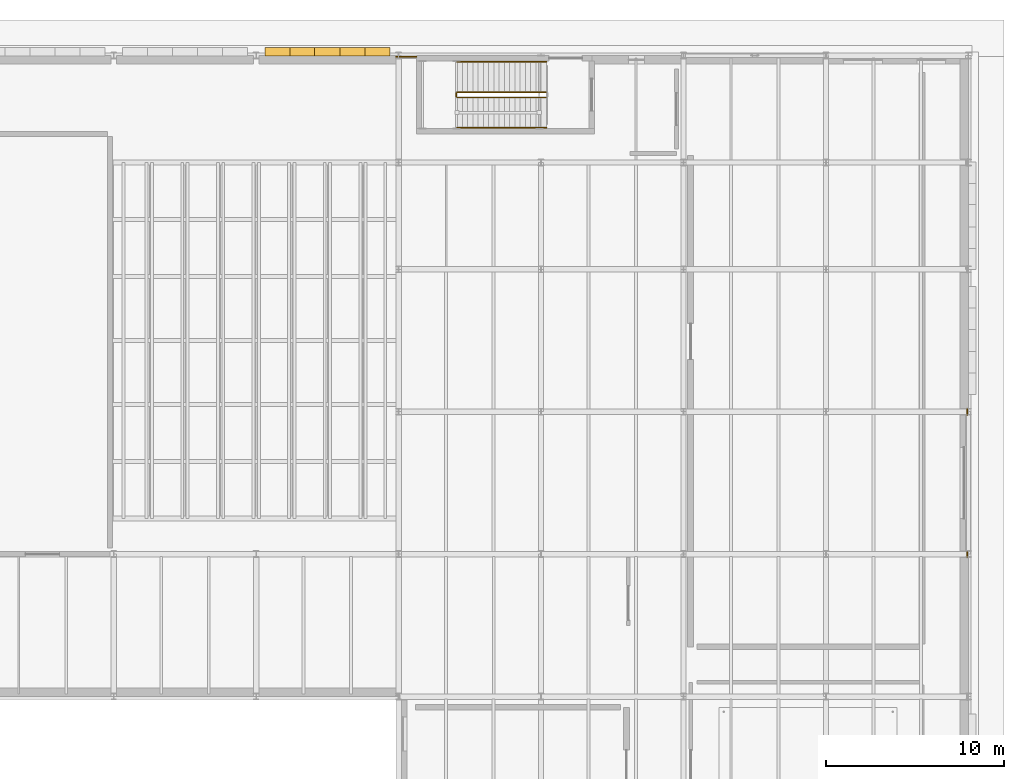
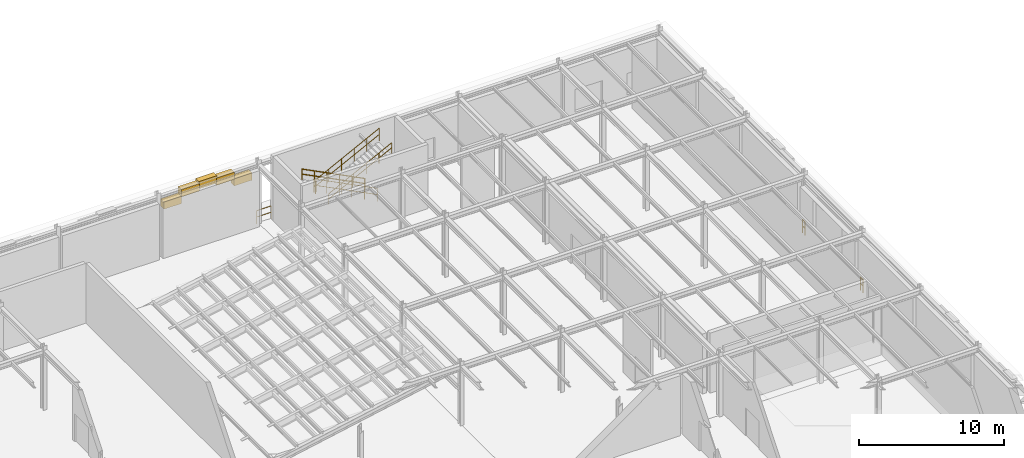
# One storey, part 127 of 129: 8 railings, 5 coverings.
"""IFC4 building model written with IfcOpenShell, lengths in metres."""

import ifcopenshell
import ifcopenshell.guid

model = None  # the IFC model being written
_history = None  # IfcOwnerHistory: only IFC2X3 demands one
_inside = {}  # id of a spatial element -> (the spatial element, [elements in it])
_under = {}  # id of a project, library or spatial element -> (it, [spatial elements below it])
_declared = {}  # id of a project -> (the project, [libraries it declares])
_typed = {}  # id of a type object -> (the type object, [elements of that type])
_made_of = {}  # id of a material, layer set ... -> (it, [elements and type objects made of it])


def new_model(schema):
    """Start an empty IFC model of exactly this schema.

    Asked for "IFC4X3", IfcOpenShell would pick the latest addendum, in which some entities
    have other attributes; the version numbers below select the first issue.
    IFC2X3 requires an IfcOwnerHistory on every rooted entity: one is made here for all.
    """
    global model, _history
    if schema == "IFC4X3":
        model = ifcopenshell.file(schema_version=(4, 3, 0, 0))
    else:
        model = ifcopenshell.file(schema=schema)
    _inside.clear()
    _under.clear()
    _declared.clear()
    _typed.clear()
    _made_of.clear()
    _history = None
    if model.schema == "IFC2X3":
        org = make("IfcOrganization", Name="unknown")
        user = make(
            "IfcPersonAndOrganization",
            ThePerson=make("IfcPerson", FamilyName="unknown"),
            TheOrganization=org,
        )
        app = make(
            "IfcApplication",
            ApplicationDeveloper=org,
            Version="unknown",
            ApplicationFullName="unknown",
            ApplicationIdentifier="unknown",
        )
        _history = make(
            "IfcOwnerHistory",
            OwningUser=user,
            OwningApplication=app,
            ChangeAction="ADDED",
            CreationDate=0,
        )
    return model


def make(cls, **values):
    """One entity of the class cls with the attributes given. An attribute that is None is left unset."""
    return model.create_entity(
        cls, **{name: value for name, value in values.items() if value is not None}
    )


def rooted(cls, **values):
    """An entity with a GlobalId (a new one), such as an element, a storey or a relation."""
    return make(cls, GlobalId=ifcopenshell.guid.new(), OwnerHistory=_history, **values)


def si_unit(unit_type, name, prefix=None):
    """IfcSIUnit, for example si_unit("LENGTHUNIT", "METRE", prefix="MILLI")."""
    return make("IfcSIUnit", UnitType=unit_type, Prefix=prefix, Name=name)


def assignment(units):
    """IfcUnitAssignment: the units of a project."""
    return None if units is None else make("IfcUnitAssignment", Units=units)


def point(xyz):
    """IfcCartesianPoint."""
    return None if xyz is None else make("IfcCartesianPoint", Coordinates=xyz)


def direction(xyz):
    """IfcDirection."""
    return None if xyz is None else make("IfcDirection", DirectionRatios=xyz)


def frame(location, z_axis=None, x_axis=None):
    """IfcAxis2Placement3D, a coordinate frame: its origin and axes. An axis left out is left unset."""
    return make(
        "IfcAxis2Placement3D",
        Location=point(location),
        Axis=direction(z_axis),
        RefDirection=direction(x_axis),
    )


def frame_2d(location, x_axis=None):
    """IfcAxis2Placement2D, a coordinate frame in the plane: its origin and x axis."""
    return make(
        "IfcAxis2Placement2D", Location=point(location), RefDirection=direction(x_axis)
    )


def origin():
    """The frame at (0, 0, 0) with its axes left unset."""
    return frame((0.0, 0.0, 0.0))


def origin_2d():
    """The frame at (0, 0) in the plane with its x axis left unset."""
    return frame_2d((0.0, 0.0))


def place(relative_to, where):
    """IfcLocalPlacement: puts the frame where relative to a parent placement (None: the world)."""
    return make(
        "IfcLocalPlacement", PlacementRelTo=relative_to, RelativePlacement=where
    )


def context(
    kind, dimensions, precision=None, world=None, true_north=None, identifier=None
):
    """IfcGeometricRepresentationContext, for example the 3D "Model" context."""
    return make(
        "IfcGeometricRepresentationContext",
        ContextIdentifier=identifier,
        ContextType=kind,
        CoordinateSpaceDimension=dimensions,
        Precision=precision,
        WorldCoordinateSystem=world,
        TrueNorth=true_north,
    )


def subcontext(parent, identifier, kind, view, scale=None):
    """IfcGeometricRepresentationSubContext, for example "Body" below "Model"."""
    return make(
        "IfcGeometricRepresentationSubContext",
        ContextIdentifier=identifier,
        ContextType=kind,
        ParentContext=parent,
        TargetScale=scale,
        TargetView=view,
    )


def project(units=None, contexts=None):
    """IfcProject with its units and contexts."""
    return rooted(
        "IfcProject",
        Name="project",
        RepresentationContexts=contexts,
        UnitsInContext=assignment(units),
    )


def spatial(cls, under=None, at=None, **own):
    """A site, building, storey or space (cls), placed at a placement, below another one or the project."""
    s = rooted(cls, ObjectPlacement=at, **own)
    if under is not None:
        _under.setdefault(under.id(), (under, []))[1].append(s)
    return s


def profile(cls, at=None, kind="AREA", **sizes):
    """A parametric profile (cls). Its sizes go by their IFC names, for example OverallWidth=200.0."""
    return make(cls, ProfileType=kind, Position=at, **sizes)


def rectangle(**sizes):
    """IfcRectangleProfileDef."""
    return profile("IfcRectangleProfileDef", **sizes)


def circle(**sizes):
    """IfcCircleProfileDef."""
    return profile("IfcCircleProfileDef", **sizes)


def extrude(swept, where, along, depth):
    """IfcExtrudedAreaSolid: the profile swept, set in the frame where, extruded along a direction by depth."""
    return make(
        "IfcExtrudedAreaSolid",
        SweptArea=swept,
        Position=where,
        ExtrudedDirection=direction(along),
        Depth=depth,
    )


def shape(context_of_items, identifier, shape_type, items):
    """IfcShapeRepresentation: the items that make up one representation, for example the "Body"."""
    return make(
        "IfcShapeRepresentation",
        ContextOfItems=context_of_items,
        RepresentationIdentifier=identifier,
        RepresentationType=shape_type,
        Items=items,
    )


def material(Name=None, Category=None):
    """IfcMaterial."""
    return make("IfcMaterial", Name=Name, Category=Category)


def layer(
    of_material, thickness, ventilated=None, Name=None, Category=None, Priority=None
):
    """IfcMaterialLayer: one layer of a wall or slab, of a material (None: an air gap)."""
    return make(
        "IfcMaterialLayer",
        Material=of_material,
        LayerThickness=thickness,
        IsVentilated=ventilated,
        Name=Name,
        Category=Category,
        Priority=Priority,
    )


def layer_set(layers, Name=None):
    """IfcMaterialLayerSet."""
    return make("IfcMaterialLayerSet", MaterialLayers=layers, LayerSetName=Name)


def made_of(thing, what):
    """Note that an element or type object is made of a material, layer set ...; save() writes the relation."""
    if what is not None:
        _made_of.setdefault(what.id(), (what, []))[1].append(thing)
    return thing


def type_object(cls, material=None, **own):
    """A type object (cls), such as IfcWallType, which elements share."""
    return made_of(rooted(cls, **own), material)


def element(
    cls,
    number,
    at=None,
    inside=None,
    cuts=None,
    type_object=None,
    material=None,
    context=None,
    identifier="Body",
    shape_type=None,
    held_by="IfcProductDefinitionShape",
    body=None,
    shapes=None,
    **own,
):
    """One element of the class cls, such as IfcWall. Its Tag is "e" and its number.

    at: its placement. inside: the storey or other place that contains it. cuts: it is an
    opening in that element (IfcRelVoidsElement). A single representation is given by context,
    identifier, shape_type and body (its items); several are given by shapes. held_by: the class
    of the entity that holds the representations. save() writes the other relations.
    """
    e = rooted(cls, Tag="e%d" % number, ObjectPlacement=at, **own)
    if body is not None:
        shapes = [shape(context, identifier, shape_type, body)]
    if shapes is not None:
        e.Representation = make(held_by, Representations=shapes)
    if inside is not None:
        _inside.setdefault(inside.id(), (inside, []))[1].append(e)
    if cuts is not None:
        rooted(
            "IfcRelVoidsElement", RelatingBuildingElement=cuts, RelatedOpeningElement=e
        )
    if type_object is not None:
        _typed.setdefault(type_object.id(), (type_object, []))[1].append(e)
    return made_of(e, material)


def aggregate(whole, parts):
    """IfcRelAggregates: a whole, such as a stair, and the parts it consists of."""
    return rooted("IfcRelAggregates", RelatingObject=whole, RelatedObjects=parts)


def save(model, path):
    """Write the relations noted so far, then the file.

    IfcRelAggregates (storeys below a building ...), IfcRelContainedInSpatialStructure (elements
    in a storey), IfcRelDefinesByType, IfcRelAssociatesMaterial and IfcRelDeclares: one each for
    every whole, place, type object, material and project.
    """
    for whole, parts in _under.values():
        aggregate(whole, parts)
    for where, things in _inside.values():
        rooted(
            "IfcRelContainedInSpatialStructure",
            RelatedElements=things,
            RelatingStructure=where,
        )
    for kind, things in _typed.values():
        rooted("IfcRelDefinesByType", RelatedObjects=things, RelatingType=kind)
    for what, things in _made_of.values():
        rooted("IfcRelAssociatesMaterial", RelatedObjects=things, RelatingMaterial=what)
    for by, libraries in _declared.values():
        rooted("IfcRelDeclares", RelatingContext=by, RelatedDefinitions=libraries)
    model.write(path)


model = new_model("IFC4")

# Units and contexts
model_context = context("Model", 3, precision=1e-05, world=origin(), true_north=direction((0.0, 1.0)))
body_context = subcontext(model_context, "Body", "Model", "MODEL_VIEW")
ifc_project = project(units=[si_unit("LENGTHUNIT", "METRE"), si_unit("AREAUNIT", "SQUARE_METRE"), si_unit("VOLUMEUNIT", "CUBIC_METRE"), si_unit("PLANEANGLEUNIT", "RADIAN"), si_unit("MASSUNIT", "GRAM", prefix="KILO")], contexts=[model_context])

# Site, building, storey
site_placement = place(None, origin())
site = spatial("IfcSite", under=ifc_project, at=site_placement, CompositionType="ELEMENT")
building_placement = place(site_placement, origin())
building = spatial("IfcBuilding", under=site, at=building_placement, Name="Sundkrona Museum", CompositionType="ELEMENT")
storey_placement = place(building_placement, origin())
storey = spatial("IfcBuildingStorey", under=building, at=storey_placement, Name="L00", CompositionType="ELEMENT", Elevation=0.0)

# Coverings
ifc_material_1 = material(Name="Frost-Resistant Vitrified Stoneware Mosaic Cladding", Category="masonry")
ifc_layer = layer(ifc_material_1, 0.044921875)
ifc_layer_set = layer_set([ifc_layer], Name="Frost-Resistant Vitrified Stoneware Mosaic Cladding")
covering_type = type_object("IfcCoveringType", Name="COV-CLD-MOS", PredefinedType="CLADDING", material=ifc_layer_set)
for number, where, z_axis, x_axis, name in (
    (1, (129.199951171875, 114.219970703125, 3.75390625), (0.0, 0.0, 1.0), (1.0, 0.0, 0.0), "Catalan Modernisme Parabolic Arch Voussoir NA-096"),
    (2, (130.60009765625, 114.219970703125, 4.305908203125), (0.0, 0.0, 1.0), (1.0, 0.0, 0.0), "Catalan Modernisme Parabolic Arch Voussoir NA-097"),
    (3, (132.0, 114.219970703125, 4.489990234375), (0.0, 0.0, 1.0), (1.0, 0.0, 0.0), "Catalan Modernisme Parabolic Arch Voussoir NA-098"),
    (4, (133.39990234375, 114.219970703125, 4.305908203125), (0.0, 0.0, 1.0), (1.0, 0.0, 0.0), "Catalan Modernisme Parabolic Arch Voussoir NA-099"),
    (5, (134.800048828125, 114.219970703125, 3.75390625), (0.0, 0.0, 1.0), (1.0, 0.0, 0.0), "Catalan Modernisme Parabolic Arch Voussoir NA-100"),
):
    element("IfcCovering", number, at=place(storey_placement, frame(where, z_axis=z_axis, x_axis=x_axis)), inside=storey, type_object=covering_type, Name=name, PredefinedType="CLADDING", context=body_context, shape_type="SweptSolid", body=[
        extrude(rectangle(XDim=1.419921875, YDim=0.4599609375, at=origin_2d()), origin(), (0.0, 0.0, 1.0), 0.6201171875),
    ])

# Railings
ifc_material_2 = material(Name="Painted Steel S355J2 and Laminated Glass Balustrade", Category="steel")
railing_type_1 = type_object("IfcRailingType", Name="RL-GUARD-1100", PredefinedType="BALUSTRADE", material=ifc_material_2)
railing_1_placement = place(storey_placement, frame((144.300048828125, 111.949951171875, 0.14990234375)))
element("IfcRailing", 6, at=railing_1_placement, inside=storey, type_object=railing_type_1, Name="L00 ST-5 stair guard 1", PredefinedType="BALUSTRADE", context=body_context, shape_type="SweptSolid", body=[
    extrude(circle(Radius=0.02392578125, at=origin_2d()), frame((0.0, 0.0, 1.076171875), z_axis=(-0.891386615937, 0.0, 0.453243754428), x_axis=(0.0, -1.0, 0.0)), (0.0, 0.0, 1.0), 5.626220703125),
    extrude(circle(Radius=0.02392578125, at=origin_2d()), frame((0.0, 0.0, 0.550048828125), z_axis=(-0.891386615937, 0.0, 0.453243754428), x_axis=(0.0, -1.0, 0.0)), (0.0, 0.0, 1.0), 5.626220703125),
    extrude(circle(Radius=0.02099609375, at=origin_2d()), origin(), (0.0, 0.0, 1.0), 1.052001953125),
    extrude(circle(Radius=0.02099609375, at=origin_2d()), frame((-1.0029296875, 0.0, 0.510009765625)), (0.0, 0.0, 1.0), 1.052001953125),
    extrude(circle(Radius=0.02099609375, at=origin_2d()), frame((-2.006103515625, 0.0, 1.02001953125)), (0.0, 0.0, 1.0), 1.052001953125),
    extrude(circle(Radius=0.02099609375, at=origin_2d()), frame((-3.009033203125, 0.0, 1.530029296875)), (0.0, 0.0, 1.0), 1.052001953125),
    extrude(circle(Radius=0.02099609375, at=origin_2d()), frame((-4.01220703125, 0.0, 2.0400390625)), (0.0, 0.0, 1.0), 1.052001953125),
    extrude(circle(Radius=0.02099609375, at=origin_2d()), frame((-5.01513671875, 0.0, 2.550048828125)), (0.0, 0.0, 1.0), 1.052001953125),
])
railing_2_placement = place(storey_placement, frame((139.235107421875, 111.89990234375, 2.699951171875)))
element("IfcRailing", 7, at=railing_2_placement, inside=storey, type_object=railing_type_1, Name="L00 ST-5 stair guard 2", PredefinedType="BALUSTRADE", context=body_context, shape_type="SweptSolid", body=[
    extrude(circle(Radius=0.02392578125, at=origin_2d()), frame((0.0, 0.0, 1.076171875), z_axis=(0.0, -1.0, 0.0), x_axis=(1.0, 0.0, 0.0)), (0.0, 0.0, 1.0), 0.199951171875),
    extrude(circle(Radius=0.02392578125, at=origin_2d()), frame((0.0, 0.0, 0.550048828125), z_axis=(0.0, -1.0, 0.0), x_axis=(1.0, 0.0, 0.0)), (0.0, 0.0, 1.0), 0.199951171875),
    extrude(circle(Radius=0.02099609375, at=origin_2d()), origin(), (0.0, 0.0, 1.0), 1.052001953125),
    extrude(circle(Radius=0.02099609375, at=origin_2d()), frame((0.0, -0.199951171875, 0.0)), (0.0, 0.0, 1.0), 1.052001953125),
])
railing_3_placement = place(storey_placement, frame((139.284912109375, 111.64990234375, 2.85009765625)))
element("IfcRailing", 8, at=railing_3_placement, inside=storey, type_object=railing_type_1, Name="L00 ST-5 stair guard 3", PredefinedType="BALUSTRADE", context=body_context, shape_type="SweptSolid", body=[
    extrude(circle(Radius=0.02392578125, at=origin_2d()), frame((0.0, 0.0, 1.076171875), z_axis=(0.891404147206, 0.0, 0.453209274336), x_axis=(0.0, 1.0, 0.0)), (0.0, 0.0, 1.0), 5.626220703125),
    extrude(circle(Radius=0.02392578125, at=origin_2d()), frame((0.0, 0.0, 0.550048828125), z_axis=(0.891404147206, 0.0, 0.453209274336), x_axis=(0.0, 1.0, 0.0)), (0.0, 0.0, 1.0), 5.626220703125),
    extrude(circle(Radius=0.02099609375, at=origin_2d()), origin(), (0.0, 0.0, 1.0), 1.052001953125),
    extrude(circle(Radius=0.02099609375, at=origin_2d()), frame((1.0029296875, 0.0, 0.510009765625)), (0.0, 0.0, 1.0), 1.052001953125),
    extrude(circle(Radius=0.02099609375, at=origin_2d()), frame((2.006103515625, 0.0, 1.02001953125)), (0.0, 0.0, 1.0), 1.052001953125),
    extrude(circle(Radius=0.02099609375, at=origin_2d()), frame((3.009033203125, 0.0, 1.52978515625)), (0.0, 0.0, 1.0), 1.052001953125),
    extrude(circle(Radius=0.02099609375, at=origin_2d()), frame((4.01220703125, 0.0, 2.039794921875)), (0.0, 0.0, 1.0), 1.052001953125),
    extrude(circle(Radius=0.02099609375, at=origin_2d()), frame((5.01513671875, 0.0, 2.5498046875)), (0.0, 0.0, 1.0), 1.052001953125),
])
railing_4_placement = place(storey_placement, frame((135.85009765625, 113.93994140625, 0.0)))
element("IfcRailing", 9, at=railing_4_placement, inside=storey, type_object=railing_type_1, Name="L00 Edge Protection Balustrade 033", PredefinedType="BALUSTRADE", context=body_context, shape_type="SweptSolid", body=[
    extrude(circle(Radius=0.02392578125, at=origin_2d()), frame((0.0, 0.0, 1.09619140625), z_axis=(1.0, 0.0, 0.0), x_axis=(0.0, 1.0, 0.0)), (0.0, 0.0, 1.0), 1.14990234375),
    extrude(circle(Radius=0.02392578125, at=origin_2d()), frame((0.0, 0.0, 0.56005859375), z_axis=(1.0, 0.0, 0.0), x_axis=(0.0, 1.0, 0.0)), (0.0, 0.0, 1.0), 1.14990234375),
    extrude(circle(Radius=0.02099609375, at=origin_2d()), origin(), (0.0, 0.0, 1.0), 1.072021484375),
    extrude(circle(Radius=0.02099609375, at=origin_2d()), frame((1.14990234375, 0.0, 0.0)), (0.0, 0.0, 1.0), 1.072021484375),
])
for number, where, name in (
    (10, (167.93994140625, 86.181884765625, 0.0), "L00 Edge Protection Balustrade 053"),
    (11, (167.93994140625, 94.181884765625, 0.0), "L00 Edge Protection Balustrade 054"),
):
    element("IfcRailing", number, at=place(storey_placement, frame(where)), inside=storey, type_object=railing_type_1, Name=name, PredefinedType="BALUSTRADE", context=body_context, shape_type="SweptSolid", body=[
        extrude(circle(Radius=0.02392578125, at=origin_2d()), frame((0.0, 0.0, 1.09619140625), z_axis=(0.0, -1.0, 0.0), x_axis=(1.0, 0.0, 0.0)), (0.0, 0.0, 1.0), 0.36376953125),
        extrude(circle(Radius=0.02392578125, at=origin_2d()), frame((0.0, 0.0, 0.56005859375), z_axis=(0.0, -1.0, 0.0), x_axis=(1.0, 0.0, 0.0)), (0.0, 0.0, 1.0), 0.36376953125),
        extrude(circle(Radius=0.02099609375, at=origin_2d()), origin(), (0.0, 0.0, 1.0), 1.072021484375),
        extrude(circle(Radius=0.02099609375, at=origin_2d()), frame((0.0, -0.36376953125, 0.0)), (0.0, 0.0, 1.0), 1.072021484375),
    ])
ifc_material_3 = material(Name="Brushed Bronze-Clad Steel Handrail", Category="steel")
railing_type_2 = type_object("IfcRailingType", Name="RL-HAND-900", PredefinedType="HANDRAIL", material=ifc_material_3)
railing_5_placement = place(storey_placement, frame((144.300048828125, 113.64990234375, 0.14990234375)))
element("IfcRailing", 12, at=railing_5_placement, inside=storey, type_object=railing_type_2, Name="L00 ST-5 stair handrail 1", PredefinedType="HANDRAIL", context=body_context, shape_type="SweptSolid", body=[
    extrude(circle(Radius=0.02392578125, at=origin_2d()), frame((0.0, 0.0, 0.8759765625), z_axis=(-0.891386615937, 0.0, 0.453243754428), x_axis=(0.0, -1.0, 0.0)), (0.0, 0.0, 1.0), 5.626220703125),
    extrude(circle(Radius=0.02392578125, at=origin_2d()), frame((0.0, 0.0, 0.449951171875), z_axis=(-0.891386615937, 0.0, 0.453243754428), x_axis=(0.0, -1.0, 0.0)), (0.0, 0.0, 1.0), 5.626220703125),
    extrude(circle(Radius=0.02099609375, at=origin_2d()), origin(), (0.0, 0.0, 1.0), 0.851806640625),
    extrude(circle(Radius=0.02099609375, at=origin_2d()), frame((-1.0029296875, 0.0, 0.510009765625)), (0.0, 0.0, 1.0), 0.851806640625),
    extrude(circle(Radius=0.02099609375, at=origin_2d()), frame((-2.006103515625, 0.0, 1.02001953125)), (0.0, 0.0, 1.0), 0.851806640625),
    extrude(circle(Radius=0.02099609375, at=origin_2d()), frame((-3.009033203125, 0.0, 1.530029296875)), (0.0, 0.0, 1.0), 0.851806640625),
    extrude(circle(Radius=0.02099609375, at=origin_2d()), frame((-4.01220703125, 0.0, 2.0400390625)), (0.0, 0.0, 1.0), 0.851806640625),
    extrude(circle(Radius=0.02099609375, at=origin_2d()), frame((-5.01513671875, 0.0, 2.550048828125)), (0.0, 0.0, 1.0), 0.851806640625),
])
railing_6_placement = place(storey_placement, frame((139.284912109375, 109.949951171875, 2.85009765625)))
element("IfcRailing", 13, at=railing_6_placement, inside=storey, type_object=railing_type_2, Name="L00 ST-5 stair handrail 2", PredefinedType="HANDRAIL", context=body_context, shape_type="SweptSolid", body=[
    extrude(circle(Radius=0.02392578125, at=origin_2d()), frame((0.0, 0.0, 0.8759765625), z_axis=(0.891404147206, 0.0, 0.453209274336), x_axis=(0.0, 1.0, 0.0)), (0.0, 0.0, 1.0), 5.626220703125),
    extrude(circle(Radius=0.02392578125, at=origin_2d()), frame((0.0, 0.0, 0.449951171875), z_axis=(0.891404147206, 0.0, 0.453209274336), x_axis=(0.0, 1.0, 0.0)), (0.0, 0.0, 1.0), 5.626220703125),
    extrude(circle(Radius=0.02099609375, at=origin_2d()), origin(), (0.0, 0.0, 1.0), 0.851806640625),
    extrude(circle(Radius=0.02099609375, at=origin_2d()), frame((1.0029296875, 0.0, 0.510009765625)), (0.0, 0.0, 1.0), 0.851806640625),
    extrude(circle(Radius=0.02099609375, at=origin_2d()), frame((2.006103515625, 0.0, 1.02001953125)), (0.0, 0.0, 1.0), 0.851806640625),
    extrude(circle(Radius=0.02099609375, at=origin_2d()), frame((3.009033203125, 0.0, 1.52978515625)), (0.0, 0.0, 1.0), 0.851806640625),
    extrude(circle(Radius=0.02099609375, at=origin_2d()), frame((4.01220703125, 0.0, 2.039794921875)), (0.0, 0.0, 1.0), 0.851806640625),
    extrude(circle(Radius=0.02099609375, at=origin_2d()), frame((5.01513671875, 0.0, 2.5498046875)), (0.0, 0.0, 1.0), 0.851806640625),
])

save(model, "model.ifc")
